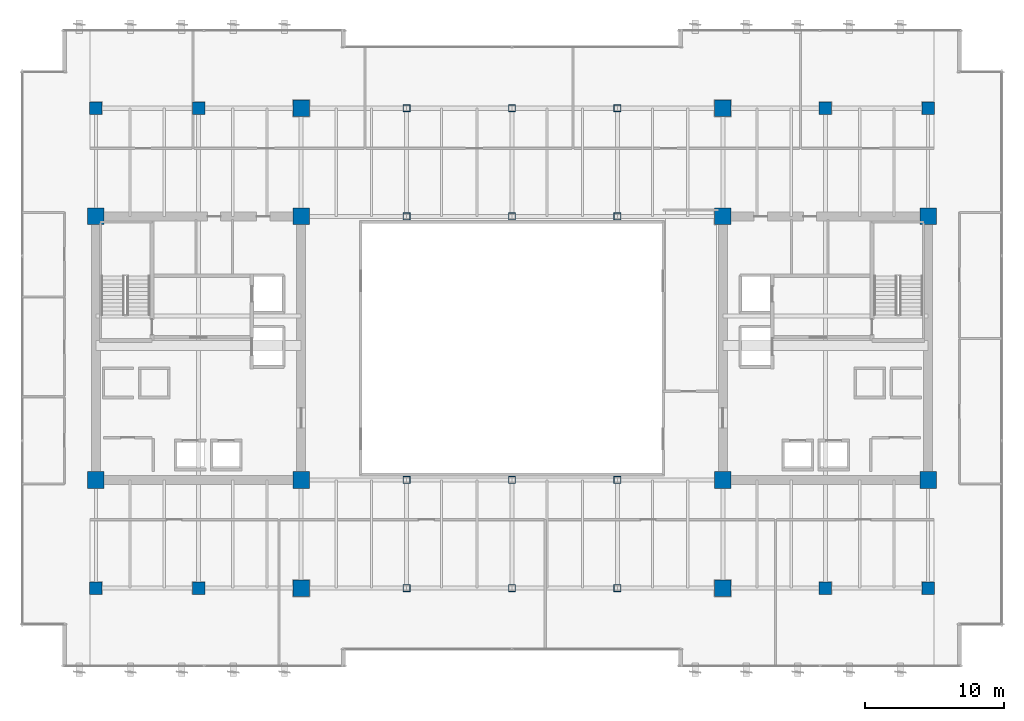
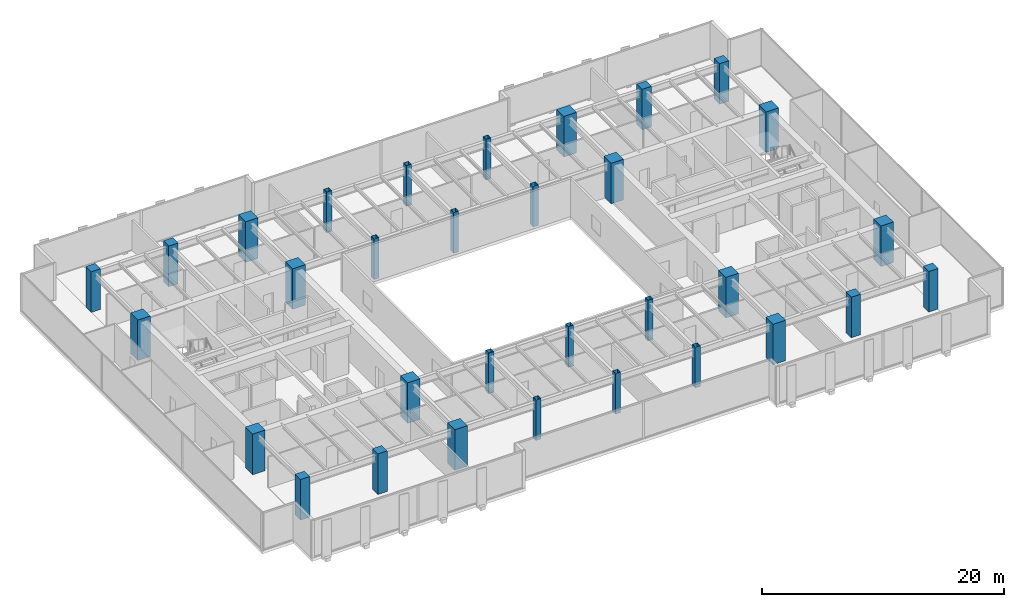
# One storey, part 1 of 34: 32 columns.
"""IFC4 building model written with IfcOpenShell, lengths in metres."""

from ifc_helpers import new_model, si_unit, direction, frame, origin, origin_2d, place, context, subcontext, project, spatial, rectangle, hollow_rectangle, extrude, source, transform, mapped, material, material_profile, profile_set, type_object, type_shapes, element, save


model = new_model("IFC4")

# Units and contexts
model_context = context("Model", 3, precision=1e-05, world=origin(), true_north=direction((0.0, 1.0)))
body_context = subcontext(model_context, "Body", "Model", "MODEL_VIEW")
ifc_project = project(units=[si_unit("LENGTHUNIT", "METRE"), si_unit("AREAUNIT", "SQUARE_METRE"), si_unit("VOLUMEUNIT", "CUBIC_METRE"), si_unit("PLANEANGLEUNIT", "RADIAN"), si_unit("MASSUNIT", "GRAM", prefix="KILO")], contexts=[model_context])

# Site, building, storey
site_placement = place(None, origin())
site = spatial("IfcSite", under=ifc_project, at=site_placement, CompositionType="ELEMENT")
building_placement = place(site_placement, origin())
building = spatial("IfcBuilding", under=site, at=building_placement, Name="Haelvirn Gate Laboratories", CompositionType="ELEMENT")
storey_placement = place(building_placement, frame((0.0, 0.0, 109.199951171875)))
storey = spatial("IfcBuildingStorey", under=building, at=storey_placement, Name="L26", CompositionType="ELEMENT", Elevation=109.199951171875)

# Columns
ifc_material_1 = material(Name="Concrete C50/60", Category="concrete")
ifc_material_profile_1 = material_profile(ifc_material_1, rectangle(XDim=0.89990234375, YDim=0.89990234375, at=origin_2d()), Name="RC-900x900")
ifc_profile_set_1 = profile_set([ifc_material_profile_1], Name="Concrete C50/60")
column_type_1 = type_object("IfcColumnType", Name="COL-RC-900", PredefinedType="COLUMN", material=ifc_profile_set_1)
shared_shape_1 = source(origin(), body_context, "Body", "SweptSolid", [
    extrude(rectangle(XDim=0.89990234375, YDim=0.89990234375, at=origin_2d()), origin(), (0.0, 0.0, 1.0), 4.10009765625),
])
type_shapes(column_type_1, [shared_shape_1])
for number, where, z_axis, x_axis, name in (
    (1, (14.800048828125, 7.0, 0.0), (0.0, 0.0, 1.0), (1.0, 0.0, 0.0), "L26 Column 3B"),
    (2, (14.800048828125, 41.60009765625, 0.0), (0.0, 0.0, 1.0), (1.0, 0.0, 0.0), "L26 Column 3G"),
    (3, (60.0, 7.0, 0.0), (0.0, 0.0, 1.0), (1.0, 0.0, 0.0), "L26 Column 9B"),
    (4, (60.0, 41.60009765625, 0.0), (0.0, 0.0, 1.0), (1.0, 0.0, 0.0), "L26 Column 9G"),
    (5, (7.39990234375, 7.0, 0.0), (0.0, 0.0, 1.0), (1.0, 0.0, 0.0), "L26 Column 2B"),
    (6, (7.39990234375, 41.60009765625, 0.0), (0.0, 0.0, 1.0), (1.0, 0.0, 0.0), "L26 Column 2G"),
    (7, (67.39990234375, 7.0, 0.0), (0.0, 0.0, 1.0), (1.0, 0.0, 0.0), "L26 Column 10B"),
    (8, (67.39990234375, 41.60009765625, 0.0), (0.0, 0.0, 1.0), (1.0, 0.0, 0.0), "L26 Column 10G"),
):
    element("IfcColumn", number, at=place(storey_placement, frame(where, z_axis=z_axis, x_axis=x_axis)), inside=storey, type_object=column_type_1, Name=name, PredefinedType="COLUMN", context=body_context, shape_type="MappedRepresentation", body=[
        mapped(shared_shape_1, transform((0.0, 0.0, 0.0), scale=1.0)),
    ])
ifc_material_2 = material(Name="Concrete C60/75", Category="concrete")
ifc_material_profile_2 = material_profile(ifc_material_2, rectangle(XDim=1.199951171875, YDim=1.199951171875, at=origin_2d()), Name="SRC-1200x1200")
ifc_profile_set_2 = profile_set([ifc_material_profile_2], Name="Concrete C60/75")
column_type_2 = type_object("IfcColumnType", Name="COL-SRC-1200", PredefinedType="COLUMN", material=ifc_profile_set_2)
shared_shape_2 = source(origin(), body_context, "Body", "SweptSolid", [
    extrude(rectangle(XDim=1.199951171875, YDim=1.199951171875, at=origin_2d()), origin(), (0.0, 0.0, 1.0), 4.10009765625),
])
type_shapes(column_type_2, [shared_shape_2])
for number, where, z_axis, x_axis, name in (
    (9, (22.199951171875, 7.0, 0.0), (0.0, 0.0, 1.0), (1.0, 0.0, 0.0), "L26 Column 4B"),
    (10, (7.39990234375, 14.800048828125, 0.0), (0.0, 0.0, 1.0), (1.0, 0.0, 0.0), "L26 Column 2C"),
    (11, (22.199951171875, 14.800048828125, 0.0), (0.0, 0.0, 1.0), (1.0, 0.0, 0.0), "L26 Column 4C"),
    (12, (7.39990234375, 33.800048828125, 0.0), (0.0, 0.0, 1.0), (1.0, 0.0, 0.0), "L26 Column 2F"),
    (13, (22.199951171875, 33.800048828125, 0.0), (0.0, 0.0, 1.0), (1.0, 0.0, 0.0), "L26 Column 4F"),
    (14, (22.199951171875, 41.60009765625, 0.0), (0.0, 0.0, 1.0), (1.0, 0.0, 0.0), "L26 Column 4G"),
    (15, (52.60009765625, 7.0, 0.0), (0.0, 0.0, 1.0), (1.0, 0.0, 0.0), "L26 Column 8B"),
    (16, (52.60009765625, 14.800048828125, 0.0), (0.0, 0.0, 1.0), (1.0, 0.0, 0.0), "L26 Column 8C"),
    (17, (67.39990234375, 14.800048828125, 0.0), (0.0, 0.0, 1.0), (1.0, 0.0, 0.0), "L26 Column 10C"),
    (18, (52.60009765625, 33.800048828125, 0.0), (0.0, 0.0, 1.0), (1.0, 0.0, 0.0), "L26 Column 8F"),
    (19, (67.39990234375, 33.800048828125, 0.0), (0.0, 0.0, 1.0), (1.0, 0.0, 0.0), "L26 Column 10F"),
    (20, (52.60009765625, 41.60009765625, 0.0), (0.0, 0.0, 1.0), (1.0, 0.0, 0.0), "L26 Column 8G"),
):
    element("IfcColumn", number, at=place(storey_placement, frame(where, z_axis=z_axis, x_axis=x_axis)), inside=storey, type_object=column_type_2, Name=name, PredefinedType="COLUMN", context=body_context, shape_type="MappedRepresentation", body=[
        mapped(shared_shape_2, transform((0.0, 0.0, 0.0), scale=1.0)),
    ])
ifc_material_3 = material(Name="Steel SM355", Category="steel")
ifc_material_profile_3 = material_profile(ifc_material_3, hollow_rectangle(XDim=0.5, YDim=0.5, WallThickness=0.02197265625, at=origin_2d()), Name="BOX-500x500x22")
ifc_profile_set_3 = profile_set([ifc_material_profile_3], Name="Steel SM355")
column_type_3 = type_object("IfcColumnType", Name="COL-BOX-500", PredefinedType="COLUMN", material=ifc_profile_set_3)
shared_shape_3 = source(origin(), body_context, "Body", "SweptSolid", [
    extrude(hollow_rectangle(XDim=0.5, YDim=0.5, WallThickness=0.02197265625, at=origin_2d()), origin(), (0.0, 0.0, 1.0), 4.10009765625),
])
type_shapes(column_type_3, [shared_shape_3])
for number, where, z_axis, x_axis, name in (
    (21, (29.800048828125, 7.0, 0.0), (0.0, 0.0, 1.0), (1.0, 0.0, 0.0), "L26 Column 5B"),
    (22, (29.800048828125, 14.800048828125, 0.0), (0.0, 0.0, 1.0), (1.0, 0.0, 0.0), "L26 Column 5C"),
    (23, (29.800048828125, 33.800048828125, 0.0), (0.0, 0.0, 1.0), (1.0, 0.0, 0.0), "L26 Column 5F"),
    (24, (29.800048828125, 41.60009765625, 0.0), (0.0, 0.0, 1.0), (1.0, 0.0, 0.0), "L26 Column 5G"),
    (25, (37.39990234375, 7.0, 0.0), (0.0, 0.0, 1.0), (1.0, 0.0, 0.0), "L26 Column 6B"),
    (26, (37.39990234375, 14.800048828125, 0.0), (0.0, 0.0, 1.0), (1.0, 0.0, 0.0), "L26 Column 6C"),
    (27, (37.39990234375, 33.800048828125, 0.0), (0.0, 0.0, 1.0), (1.0, 0.0, 0.0), "L26 Column 6F"),
    (28, (37.39990234375, 41.60009765625, 0.0), (0.0, 0.0, 1.0), (1.0, 0.0, 0.0), "L26 Column 6G"),
    (29, (45.0, 7.0, 0.0), (0.0, 0.0, 1.0), (1.0, 0.0, 0.0), "L26 Column 7B"),
    (30, (45.0, 14.800048828125, 0.0), (0.0, 0.0, 1.0), (1.0, 0.0, 0.0), "L26 Column 7C"),
    (31, (45.0, 33.800048828125, 0.0), (0.0, 0.0, 1.0), (1.0, 0.0, 0.0), "L26 Column 7F"),
    (32, (45.0, 41.60009765625, 0.0), (0.0, 0.0, 1.0), (1.0, 0.0, 0.0), "L26 Column 7G"),
):
    element("IfcColumn", number, at=place(storey_placement, frame(where, z_axis=z_axis, x_axis=x_axis)), inside=storey, type_object=column_type_3, Name=name, PredefinedType="COLUMN", context=body_context, shape_type="MappedRepresentation", body=[
        mapped(shared_shape_3, transform((0.0, 0.0, 0.0), scale=1.0)),
    ])

save(model, "model.ifc")
